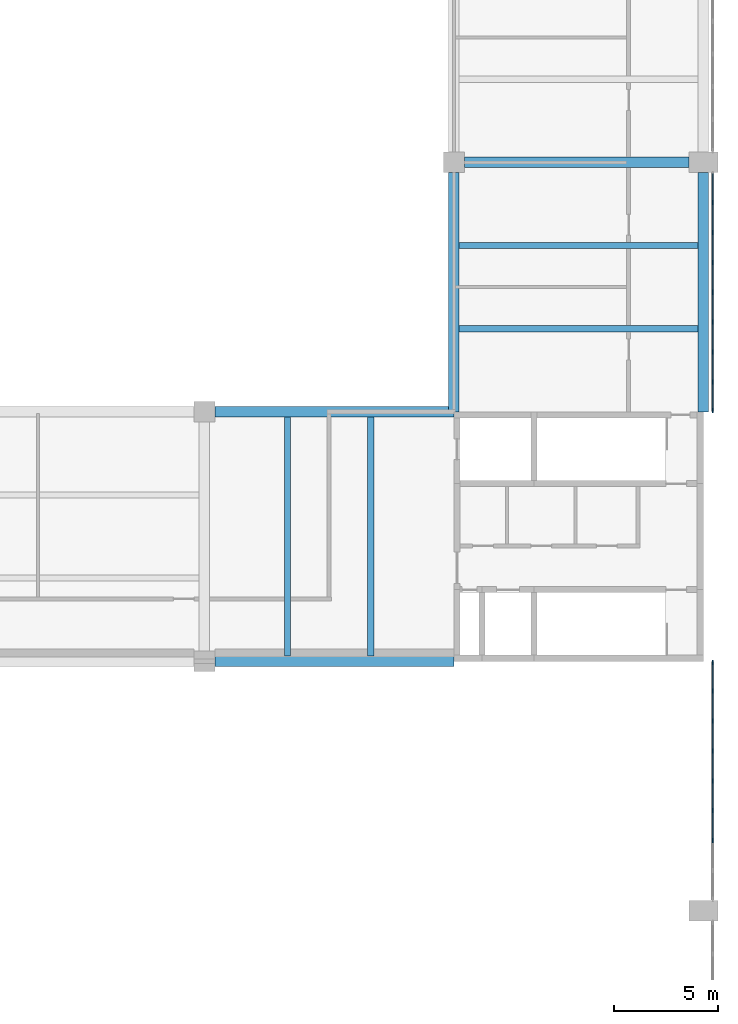
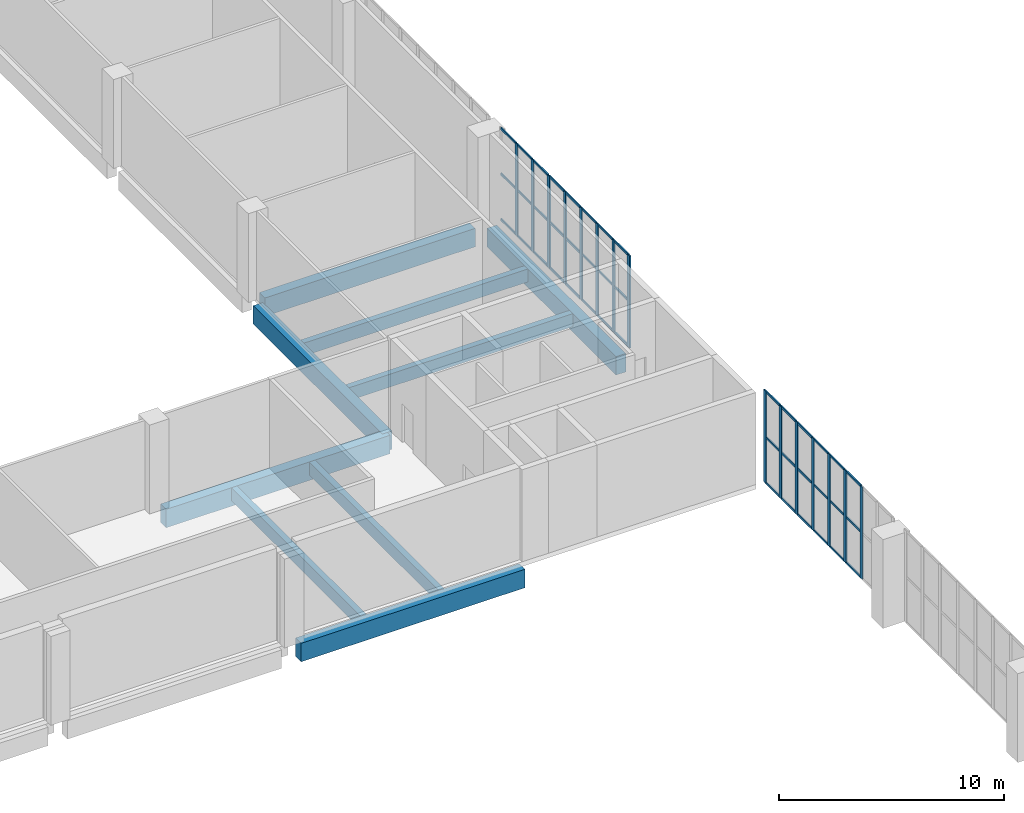
# One storey, part 26 of 69: 57 members, 9 beams, 2 elements without a shape of their own.
"""IFC4 building model written with IfcOpenShell, lengths in metres."""

from ifc_helpers import new_model, si_unit, direction, frame, origin, origin_2d, place, context, subcontext, project, spatial, rectangle, extrude, material, layer, layer_set, material_profile, profile_set, type_object, element, aggregate, save


model = new_model("IFC4")

# Units and contexts
model_context = context("Model", 3, precision=1e-05, world=origin(), true_north=direction((0.0, 1.0)))
body_context = subcontext(model_context, "Body", "Model", "MODEL_VIEW")
ifc_project = project(units=[si_unit("LENGTHUNIT", "METRE"), si_unit("AREAUNIT", "SQUARE_METRE"), si_unit("VOLUMEUNIT", "CUBIC_METRE"), si_unit("PLANEANGLEUNIT", "RADIAN"), si_unit("MASSUNIT", "GRAM", prefix="KILO")], contexts=[model_context])

# Site, building, storey
site_placement = place(None, origin())
site = spatial("IfcSite", under=ifc_project, at=site_placement, CompositionType="ELEMENT")
building_placement = place(site_placement, origin())
building = spatial("IfcBuilding", under=site, at=building_placement, Name="Lilac Gate Convention Centre", CompositionType="ELEMENT")
storey_placement = place(building_placement, frame((0.0, 0.0, 12.0)))
storey = spatial("IfcBuildingStorey", under=building, at=storey_placement, Name="L02", CompositionType="ELEMENT", Elevation=12.0)

# Curtain wall, members
ifc_material_1 = material(Name="Aluminium framed double glazing", Category="aluminium")
ifc_layer = layer(ifc_material_1, 0.199951171875)
ifc_layer_set = layer_set([ifc_layer], Name="Aluminium framed double glazing")
curtain_wall_type = type_object("IfcCurtainWallType", Name="Unitised curtain wall 1500", PredefinedType="NOTDEFINED", material=ifc_layer_set)
curtain_wall_1_placement = place(storey_placement, origin())
curtain_wall_1 = element("IfcCurtainWall", 1, at=curtain_wall_1_placement, inside=storey, type_object=curtain_wall_type, Name="Curtain wall HE L02 6", PredefinedType="NOTDEFINED")
ifc_material_2 = material(Name="Aluminium alloy 6063", Category="aluminium")
ifc_material_profile_1 = material_profile(ifc_material_2, rectangle(XDim=0.06005859375, YDim=0.219970703125, at=origin_2d()), Name="Curtain wall mullion 60 x 220")
ifc_profile_set_1 = profile_set([ifc_material_profile_1], Name="Aluminium alloy 6063")
member_type_1 = type_object("IfcMemberType", Name="Curtain wall mullion 60 x 220", PredefinedType="MULLION", material=ifc_profile_set_1)
member_1_placement = place(storey_placement, frame((90.449951171875, 93.375, 0.0), z_axis=(0.0, 0.0, 1.0), x_axis=(-1.0, 0.0, 0.0)))
member_1 = element("IfcMember", 2, at=member_1_placement, type_object=member_type_1, Name="CW mullion 3", PredefinedType="MULLION", context=body_context, shape_type="SweptSolid", body=[
    extrude(rectangle(XDim=0.06005859375, YDim=0.219970703125, at=origin_2d()), origin(), (0.0, 0.0, 1.0), 5.0),
])
member_2_placement = place(storey_placement, frame((90.449951171875, 94.8125, 0.0), z_axis=(0.0, 0.0, 1.0), x_axis=(-1.0, 0.0, 0.0)))
member_2 = element("IfcMember", 3, at=member_2_placement, type_object=member_type_1, Name="CW mullion 4", PredefinedType="MULLION", context=body_context, shape_type="SweptSolid", body=[
    extrude(rectangle(XDim=0.06005859375, YDim=0.219970703125, at=origin_2d()), origin(), (0.0, 0.0, 1.0), 5.0),
])
member_3_placement = place(storey_placement, frame((90.449951171875, 96.25, 0.0), z_axis=(0.0, 0.0, 1.0), x_axis=(-1.0, 0.0, 0.0)))
member_3 = element("IfcMember", 4, at=member_3_placement, type_object=member_type_1, Name="CW mullion 5", PredefinedType="MULLION", context=body_context, shape_type="SweptSolid", body=[
    extrude(rectangle(XDim=0.06005859375, YDim=0.219970703125, at=origin_2d()), origin(), (0.0, 0.0, 1.0), 5.0),
])
member_4_placement = place(storey_placement, frame((90.449951171875, 97.6875, 0.0), z_axis=(0.0, 0.0, 1.0), x_axis=(-1.0, 0.0, 0.0)))
member_4 = element("IfcMember", 5, at=member_4_placement, type_object=member_type_1, Name="CW mullion 6", PredefinedType="MULLION", context=body_context, shape_type="SweptSolid", body=[
    extrude(rectangle(XDim=0.06005859375, YDim=0.219970703125, at=origin_2d()), origin(), (0.0, 0.0, 1.0), 5.0),
])
member_5_placement = place(storey_placement, frame((90.449951171875, 99.125, 0.0), z_axis=(0.0, 0.0, 1.0), x_axis=(-1.0, 0.0, 0.0)))
member_5 = element("IfcMember", 6, at=member_5_placement, type_object=member_type_1, Name="CW mullion 7", PredefinedType="MULLION", context=body_context, shape_type="SweptSolid", body=[
    extrude(rectangle(XDim=0.06005859375, YDim=0.219970703125, at=origin_2d()), origin(), (0.0, 0.0, 1.0), 5.0),
])
member_6_placement = place(storey_placement, frame((90.449951171875, 100.5625, 0.0), z_axis=(0.0, 0.0, 1.0), x_axis=(-1.0, 0.0, 0.0)))
member_6 = element("IfcMember", 7, at=member_6_placement, type_object=member_type_1, Name="CW mullion 8", PredefinedType="MULLION", context=body_context, shape_type="SweptSolid", body=[
    extrude(rectangle(XDim=0.06005859375, YDim=0.219970703125, at=origin_2d()), origin(), (0.0, 0.0, 1.0), 5.0),
])
member_7_placement = place(storey_placement, frame((90.449951171875, 101.93994140625, 0.0), z_axis=(0.0, 0.0, 1.0), x_axis=(-1.0, 0.0, 0.0)))
member_7 = element("IfcMember", 8, at=member_7_placement, type_object=member_type_1, Name="CW mullion 9", PredefinedType="MULLION", context=body_context, shape_type="SweptSolid", body=[
    extrude(rectangle(XDim=0.06005859375, YDim=0.219970703125, at=origin_2d()), origin(), (0.0, 0.0, 1.0), 5.0),
])

curtain_wall_2_placement = place(storey_placement, origin())
curtain_wall_2 = element("IfcCurtainWall", 9, at=curtain_wall_2_placement, inside=storey, type_object=curtain_wall_type, Name="Curtain wall HE L02 7", PredefinedType="NOTDEFINED")
member_8_placement = place(storey_placement, frame((90.449951171875, 114.06005859375, 0.0), z_axis=(0.0, 0.0, 1.0), x_axis=(-1.0, 0.0, 0.0)))
member_8 = element("IfcMember", 10, at=member_8_placement, type_object=member_type_1, Name="CW mullion 1", PredefinedType="MULLION", context=body_context, shape_type="SweptSolid", body=[
    extrude(rectangle(XDim=0.06005859375, YDim=0.219970703125, at=origin_2d()), origin(), (0.0, 0.0, 1.0), 5.0),
])
member_9_placement = place(storey_placement, frame((90.449951171875, 115.4375, 0.0), z_axis=(0.0, 0.0, 1.0), x_axis=(-1.0, 0.0, 0.0)))
member_9 = element("IfcMember", 11, at=member_9_placement, type_object=member_type_1, Name="CW mullion 2", PredefinedType="MULLION", context=body_context, shape_type="SweptSolid", body=[
    extrude(rectangle(XDim=0.06005859375, YDim=0.219970703125, at=origin_2d()), origin(), (0.0, 0.0, 1.0), 5.0),
])
member_10_placement = place(storey_placement, frame((90.449951171875, 116.875, 0.0), z_axis=(0.0, 0.0, 1.0), x_axis=(-1.0, 0.0, 0.0)))
member_10 = element("IfcMember", 12, at=member_10_placement, type_object=member_type_1, Name="CW mullion 3", PredefinedType="MULLION", context=body_context, shape_type="SweptSolid", body=[
    extrude(rectangle(XDim=0.06005859375, YDim=0.219970703125, at=origin_2d()), origin(), (0.0, 0.0, 1.0), 5.0),
])
member_11_placement = place(storey_placement, frame((90.449951171875, 118.3125, 0.0), z_axis=(0.0, 0.0, 1.0), x_axis=(-1.0, 0.0, 0.0)))
member_11 = element("IfcMember", 13, at=member_11_placement, type_object=member_type_1, Name="CW mullion 4", PredefinedType="MULLION", context=body_context, shape_type="SweptSolid", body=[
    extrude(rectangle(XDim=0.06005859375, YDim=0.219970703125, at=origin_2d()), origin(), (0.0, 0.0, 1.0), 5.0),
])
member_12_placement = place(storey_placement, frame((90.449951171875, 119.75, 0.0), z_axis=(0.0, 0.0, 1.0), x_axis=(-1.0, 0.0, 0.0)))
member_12 = element("IfcMember", 14, at=member_12_placement, type_object=member_type_1, Name="CW mullion 5", PredefinedType="MULLION", context=body_context, shape_type="SweptSolid", body=[
    extrude(rectangle(XDim=0.06005859375, YDim=0.219970703125, at=origin_2d()), origin(), (0.0, 0.0, 1.0), 5.0),
])
member_13_placement = place(storey_placement, frame((90.449951171875, 121.1875, 0.0), z_axis=(0.0, 0.0, 1.0), x_axis=(-1.0, 0.0, 0.0)))
member_13 = element("IfcMember", 15, at=member_13_placement, type_object=member_type_1, Name="CW mullion 6", PredefinedType="MULLION", context=body_context, shape_type="SweptSolid", body=[
    extrude(rectangle(XDim=0.06005859375, YDim=0.219970703125, at=origin_2d()), origin(), (0.0, 0.0, 1.0), 5.0),
])
member_14_placement = place(storey_placement, frame((90.449951171875, 122.625, 0.0), z_axis=(0.0, 0.0, 1.0), x_axis=(-1.0, 0.0, 0.0)))
member_14 = element("IfcMember", 16, at=member_14_placement, type_object=member_type_1, Name="CW mullion 7", PredefinedType="MULLION", context=body_context, shape_type="SweptSolid", body=[
    extrude(rectangle(XDim=0.06005859375, YDim=0.219970703125, at=origin_2d()), origin(), (0.0, 0.0, 1.0), 5.0),
])
member_15_placement = place(storey_placement, frame((90.449951171875, 124.0625, 0.0), z_axis=(0.0, 0.0, 1.0), x_axis=(-1.0, 0.0, 0.0)))
member_15 = element("IfcMember", 17, at=member_15_placement, type_object=member_type_1, Name="CW mullion 8", PredefinedType="MULLION", context=body_context, shape_type="SweptSolid", body=[
    extrude(rectangle(XDim=0.06005859375, YDim=0.219970703125, at=origin_2d()), origin(), (0.0, 0.0, 1.0), 5.0),
])

# Member
ifc_material_profile_2 = material_profile(ifc_material_2, rectangle(XDim=0.06005859375, YDim=0.1201171875, at=origin_2d()), Name="Curtain wall transom 60 x 120")
ifc_profile_set_2 = profile_set([ifc_material_profile_2], Name="Aluminium alloy 6063")
member_type_2 = type_object("IfcMemberType", Name="Curtain wall transom 60 x 120", PredefinedType="USERDEFINED", material=ifc_profile_set_2)
member_16_placement = place(storey_placement, frame((90.449951171875, 93.405029296875, 0.030029296875), z_axis=(0.0, 1.0, 0.0), x_axis=(-1.0, 0.0, 0.0)))
member_16 = element("IfcMember", 18, at=member_16_placement, type_object=member_type_2, Name="CW transom 3.1", ObjectType="TRANSOM", PredefinedType="USERDEFINED", context=body_context, shape_type="SweptSolid", body=[
    extrude(rectangle(XDim=0.06005859375, YDim=0.1201171875, at=origin_2d()), origin(), (0.0, 0.0, 1.0), 1.37744140625),
])

member_17_placement = place(storey_placement, frame((90.449951171875, 93.405029296875, 2.5), z_axis=(0.0, 1.0, 0.0), x_axis=(-1.0, 0.0, 0.0)))
member_17 = element("IfcMember", 19, at=member_17_placement, type_object=member_type_2, Name="CW transom 3.2", ObjectType="TRANSOM", PredefinedType="USERDEFINED", context=body_context, shape_type="SweptSolid", body=[
    extrude(rectangle(XDim=0.06005859375, YDim=0.1201171875, at=origin_2d()), origin(), (0.0, 0.0, 1.0), 1.37744140625),
])

member_18_placement = place(storey_placement, frame((90.449951171875, 93.405029296875, 4.969970703125), z_axis=(0.0, 1.0, 0.0), x_axis=(-1.0, 0.0, 0.0)))
member_18 = element("IfcMember", 20, at=member_18_placement, type_object=member_type_2, Name="CW transom 3.3", ObjectType="TRANSOM", PredefinedType="USERDEFINED", context=body_context, shape_type="SweptSolid", body=[
    extrude(rectangle(XDim=0.06005859375, YDim=0.1201171875, at=origin_2d()), origin(), (0.0, 0.0, 1.0), 1.37744140625),
])

member_19_placement = place(storey_placement, frame((90.449951171875, 94.842529296875, 0.030029296875), z_axis=(0.0, 1.0, 0.0), x_axis=(-1.0, 0.0, 0.0)))
member_19 = element("IfcMember", 21, at=member_19_placement, type_object=member_type_2, Name="CW transom 4.1", ObjectType="TRANSOM", PredefinedType="USERDEFINED", context=body_context, shape_type="SweptSolid", body=[
    extrude(rectangle(XDim=0.06005859375, YDim=0.1201171875, at=origin_2d()), origin(), (0.0, 0.0, 1.0), 1.37744140625),
])

member_20_placement = place(storey_placement, frame((90.449951171875, 94.842529296875, 2.5), z_axis=(0.0, 1.0, 0.0), x_axis=(-1.0, 0.0, 0.0)))
member_20 = element("IfcMember", 22, at=member_20_placement, type_object=member_type_2, Name="CW transom 4.2", ObjectType="TRANSOM", PredefinedType="USERDEFINED", context=body_context, shape_type="SweptSolid", body=[
    extrude(rectangle(XDim=0.06005859375, YDim=0.1201171875, at=origin_2d()), origin(), (0.0, 0.0, 1.0), 1.37744140625),
])

member_21_placement = place(storey_placement, frame((90.449951171875, 94.842529296875, 4.969970703125), z_axis=(0.0, 1.0, 0.0), x_axis=(-1.0, 0.0, 0.0)))
member_21 = element("IfcMember", 23, at=member_21_placement, type_object=member_type_2, Name="CW transom 4.3", ObjectType="TRANSOM", PredefinedType="USERDEFINED", context=body_context, shape_type="SweptSolid", body=[
    extrude(rectangle(XDim=0.06005859375, YDim=0.1201171875, at=origin_2d()), origin(), (0.0, 0.0, 1.0), 1.37744140625),
])

member_22_placement = place(storey_placement, frame((90.449951171875, 96.280029296875, 0.030029296875), z_axis=(0.0, 1.0, 0.0), x_axis=(-1.0, 0.0, 0.0)))
member_22 = element("IfcMember", 24, at=member_22_placement, type_object=member_type_2, Name="CW transom 5.1", ObjectType="TRANSOM", PredefinedType="USERDEFINED", context=body_context, shape_type="SweptSolid", body=[
    extrude(rectangle(XDim=0.06005859375, YDim=0.1201171875, at=origin_2d()), origin(), (0.0, 0.0, 1.0), 1.37744140625),
])

member_23_placement = place(storey_placement, frame((90.449951171875, 96.280029296875, 2.5), z_axis=(0.0, 1.0, 0.0), x_axis=(-1.0, 0.0, 0.0)))
member_23 = element("IfcMember", 25, at=member_23_placement, type_object=member_type_2, Name="CW transom 5.2", ObjectType="TRANSOM", PredefinedType="USERDEFINED", context=body_context, shape_type="SweptSolid", body=[
    extrude(rectangle(XDim=0.06005859375, YDim=0.1201171875, at=origin_2d()), origin(), (0.0, 0.0, 1.0), 1.37744140625),
])

member_24_placement = place(storey_placement, frame((90.449951171875, 96.280029296875, 4.969970703125), z_axis=(0.0, 1.0, 0.0), x_axis=(-1.0, 0.0, 0.0)))
member_24 = element("IfcMember", 26, at=member_24_placement, type_object=member_type_2, Name="CW transom 5.3", ObjectType="TRANSOM", PredefinedType="USERDEFINED", context=body_context, shape_type="SweptSolid", body=[
    extrude(rectangle(XDim=0.06005859375, YDim=0.1201171875, at=origin_2d()), origin(), (0.0, 0.0, 1.0), 1.37744140625),
])

member_25_placement = place(storey_placement, frame((90.449951171875, 97.717529296875, 0.030029296875), z_axis=(0.0, 1.0, 0.0), x_axis=(-1.0, 0.0, 0.0)))
member_25 = element("IfcMember", 27, at=member_25_placement, type_object=member_type_2, Name="CW transom 6.1", ObjectType="TRANSOM", PredefinedType="USERDEFINED", context=body_context, shape_type="SweptSolid", body=[
    extrude(rectangle(XDim=0.06005859375, YDim=0.1201171875, at=origin_2d()), origin(), (0.0, 0.0, 1.0), 1.37744140625),
])

member_26_placement = place(storey_placement, frame((90.449951171875, 97.717529296875, 2.5), z_axis=(0.0, 1.0, 0.0), x_axis=(-1.0, 0.0, 0.0)))
member_26 = element("IfcMember", 28, at=member_26_placement, type_object=member_type_2, Name="CW transom 6.2", ObjectType="TRANSOM", PredefinedType="USERDEFINED", context=body_context, shape_type="SweptSolid", body=[
    extrude(rectangle(XDim=0.06005859375, YDim=0.1201171875, at=origin_2d()), origin(), (0.0, 0.0, 1.0), 1.37744140625),
])

member_27_placement = place(storey_placement, frame((90.449951171875, 97.717529296875, 4.969970703125), z_axis=(0.0, 1.0, 0.0), x_axis=(-1.0, 0.0, 0.0)))
member_27 = element("IfcMember", 29, at=member_27_placement, type_object=member_type_2, Name="CW transom 6.3", ObjectType="TRANSOM", PredefinedType="USERDEFINED", context=body_context, shape_type="SweptSolid", body=[
    extrude(rectangle(XDim=0.06005859375, YDim=0.1201171875, at=origin_2d()), origin(), (0.0, 0.0, 1.0), 1.37744140625),
])

member_28_placement = place(storey_placement, frame((90.449951171875, 99.155029296875, 0.030029296875), z_axis=(0.0, 1.0, 0.0), x_axis=(-1.0, 0.0, 0.0)))
member_28 = element("IfcMember", 30, at=member_28_placement, type_object=member_type_2, Name="CW transom 7.1", ObjectType="TRANSOM", PredefinedType="USERDEFINED", context=body_context, shape_type="SweptSolid", body=[
    extrude(rectangle(XDim=0.06005859375, YDim=0.1201171875, at=origin_2d()), origin(), (0.0, 0.0, 1.0), 1.37744140625),
])

member_29_placement = place(storey_placement, frame((90.449951171875, 99.155029296875, 2.5), z_axis=(0.0, 1.0, 0.0), x_axis=(-1.0, 0.0, 0.0)))
member_29 = element("IfcMember", 31, at=member_29_placement, type_object=member_type_2, Name="CW transom 7.2", ObjectType="TRANSOM", PredefinedType="USERDEFINED", context=body_context, shape_type="SweptSolid", body=[
    extrude(rectangle(XDim=0.06005859375, YDim=0.1201171875, at=origin_2d()), origin(), (0.0, 0.0, 1.0), 1.37744140625),
])

member_30_placement = place(storey_placement, frame((90.449951171875, 99.155029296875, 4.969970703125), z_axis=(0.0, 1.0, 0.0), x_axis=(-1.0, 0.0, 0.0)))
member_30 = element("IfcMember", 32, at=member_30_placement, type_object=member_type_2, Name="CW transom 7.3", ObjectType="TRANSOM", PredefinedType="USERDEFINED", context=body_context, shape_type="SweptSolid", body=[
    extrude(rectangle(XDim=0.06005859375, YDim=0.1201171875, at=origin_2d()), origin(), (0.0, 0.0, 1.0), 1.37744140625),
])

member_31_placement = place(storey_placement, frame((90.449951171875, 100.592529296875, 0.030029296875), z_axis=(0.0, 1.0, 0.0), x_axis=(-1.0, 0.0, 0.0)))
member_31 = element("IfcMember", 33, at=member_31_placement, type_object=member_type_2, Name="CW transom 8.1", ObjectType="TRANSOM", PredefinedType="USERDEFINED", context=body_context, shape_type="SweptSolid", body=[
    extrude(rectangle(XDim=0.06005859375, YDim=0.1201171875, at=origin_2d()), origin(), (0.0, 0.0, 1.0), 1.347412109375),
])

member_32_placement = place(storey_placement, frame((90.449951171875, 100.592529296875, 2.5), z_axis=(0.0, 1.0, 0.0), x_axis=(-1.0, 0.0, 0.0)))
member_32 = element("IfcMember", 34, at=member_32_placement, type_object=member_type_2, Name="CW transom 8.2", ObjectType="TRANSOM", PredefinedType="USERDEFINED", context=body_context, shape_type="SweptSolid", body=[
    extrude(rectangle(XDim=0.06005859375, YDim=0.1201171875, at=origin_2d()), origin(), (0.0, 0.0, 1.0), 1.347412109375),
])

member_33_placement = place(storey_placement, frame((90.449951171875, 100.592529296875, 4.969970703125), z_axis=(0.0, 1.0, 0.0), x_axis=(-1.0, 0.0, 0.0)))
member_33 = element("IfcMember", 35, at=member_33_placement, type_object=member_type_2, Name="CW transom 8.3", ObjectType="TRANSOM", PredefinedType="USERDEFINED", context=body_context, shape_type="SweptSolid", body=[
    extrude(rectangle(XDim=0.06005859375, YDim=0.1201171875, at=origin_2d()), origin(), (0.0, 0.0, 1.0), 1.347412109375),
])

aggregate(curtain_wall_1, [member_1, member_2, member_3, member_4, member_5, member_6, member_7, member_16, member_17, member_18, member_19, member_20, member_21, member_22, member_23, member_24, member_25, member_26, member_27, member_28, member_29, member_30, member_31, member_32, member_33])

member_34_placement = place(storey_placement, frame((90.449951171875, 114.06005859375, 0.030029296875), z_axis=(0.0, 1.0, 0.0), x_axis=(-1.0, 0.0, 0.0)))
member_34 = element("IfcMember", 36, at=member_34_placement, type_object=member_type_2, Name="CW transom 1.1", ObjectType="TRANSOM", PredefinedType="USERDEFINED", context=body_context, shape_type="SweptSolid", body=[
    extrude(rectangle(XDim=0.06005859375, YDim=0.1201171875, at=origin_2d()), origin(), (0.0, 0.0, 1.0), 1.347412109375),
])

member_35_placement = place(storey_placement, frame((90.449951171875, 114.06005859375, 2.5), z_axis=(0.0, 1.0, 0.0), x_axis=(-1.0, 0.0, 0.0)))
member_35 = element("IfcMember", 37, at=member_35_placement, type_object=member_type_2, Name="CW transom 1.2", ObjectType="TRANSOM", PredefinedType="USERDEFINED", context=body_context, shape_type="SweptSolid", body=[
    extrude(rectangle(XDim=0.06005859375, YDim=0.1201171875, at=origin_2d()), origin(), (0.0, 0.0, 1.0), 1.347412109375),
])

member_36_placement = place(storey_placement, frame((90.449951171875, 114.06005859375, 4.969970703125), z_axis=(0.0, 1.0, 0.0), x_axis=(-1.0, 0.0, 0.0)))
member_36 = element("IfcMember", 38, at=member_36_placement, type_object=member_type_2, Name="CW transom 1.3", ObjectType="TRANSOM", PredefinedType="USERDEFINED", context=body_context, shape_type="SweptSolid", body=[
    extrude(rectangle(XDim=0.06005859375, YDim=0.1201171875, at=origin_2d()), origin(), (0.0, 0.0, 1.0), 1.347412109375),
])

member_37_placement = place(storey_placement, frame((90.449951171875, 115.467529296875, 0.030029296875), z_axis=(0.0, 1.0, 0.0), x_axis=(-1.0, 0.0, 0.0)))
member_37 = element("IfcMember", 39, at=member_37_placement, type_object=member_type_2, Name="CW transom 2.1", ObjectType="TRANSOM", PredefinedType="USERDEFINED", context=body_context, shape_type="SweptSolid", body=[
    extrude(rectangle(XDim=0.06005859375, YDim=0.1201171875, at=origin_2d()), origin(), (0.0, 0.0, 1.0), 1.37744140625),
])

member_38_placement = place(storey_placement, frame((90.449951171875, 115.467529296875, 2.5), z_axis=(0.0, 1.0, 0.0), x_axis=(-1.0, 0.0, 0.0)))
member_38 = element("IfcMember", 40, at=member_38_placement, type_object=member_type_2, Name="CW transom 2.2", ObjectType="TRANSOM", PredefinedType="USERDEFINED", context=body_context, shape_type="SweptSolid", body=[
    extrude(rectangle(XDim=0.06005859375, YDim=0.1201171875, at=origin_2d()), origin(), (0.0, 0.0, 1.0), 1.37744140625),
])

member_39_placement = place(storey_placement, frame((90.449951171875, 115.467529296875, 4.969970703125), z_axis=(0.0, 1.0, 0.0), x_axis=(-1.0, 0.0, 0.0)))
member_39 = element("IfcMember", 41, at=member_39_placement, type_object=member_type_2, Name="CW transom 2.3", ObjectType="TRANSOM", PredefinedType="USERDEFINED", context=body_context, shape_type="SweptSolid", body=[
    extrude(rectangle(XDim=0.06005859375, YDim=0.1201171875, at=origin_2d()), origin(), (0.0, 0.0, 1.0), 1.37744140625),
])

member_40_placement = place(storey_placement, frame((90.449951171875, 116.905029296875, 0.030029296875), z_axis=(0.0, 1.0, 0.0), x_axis=(-1.0, 0.0, 0.0)))
member_40 = element("IfcMember", 42, at=member_40_placement, type_object=member_type_2, Name="CW transom 3.1", ObjectType="TRANSOM", PredefinedType="USERDEFINED", context=body_context, shape_type="SweptSolid", body=[
    extrude(rectangle(XDim=0.06005859375, YDim=0.1201171875, at=origin_2d()), origin(), (0.0, 0.0, 1.0), 1.37744140625),
])

member_41_placement = place(storey_placement, frame((90.449951171875, 116.905029296875, 2.5), z_axis=(0.0, 1.0, 0.0), x_axis=(-1.0, 0.0, 0.0)))
member_41 = element("IfcMember", 43, at=member_41_placement, type_object=member_type_2, Name="CW transom 3.2", ObjectType="TRANSOM", PredefinedType="USERDEFINED", context=body_context, shape_type="SweptSolid", body=[
    extrude(rectangle(XDim=0.06005859375, YDim=0.1201171875, at=origin_2d()), origin(), (0.0, 0.0, 1.0), 1.37744140625),
])

member_42_placement = place(storey_placement, frame((90.449951171875, 116.905029296875, 4.969970703125), z_axis=(0.0, 1.0, 0.0), x_axis=(-1.0, 0.0, 0.0)))
member_42 = element("IfcMember", 44, at=member_42_placement, type_object=member_type_2, Name="CW transom 3.3", ObjectType="TRANSOM", PredefinedType="USERDEFINED", context=body_context, shape_type="SweptSolid", body=[
    extrude(rectangle(XDim=0.06005859375, YDim=0.1201171875, at=origin_2d()), origin(), (0.0, 0.0, 1.0), 1.37744140625),
])

member_43_placement = place(storey_placement, frame((90.449951171875, 118.342529296875, 0.030029296875), z_axis=(0.0, 1.0, 0.0), x_axis=(-1.0, 0.0, 0.0)))
member_43 = element("IfcMember", 45, at=member_43_placement, type_object=member_type_2, Name="CW transom 4.1", ObjectType="TRANSOM", PredefinedType="USERDEFINED", context=body_context, shape_type="SweptSolid", body=[
    extrude(rectangle(XDim=0.06005859375, YDim=0.1201171875, at=origin_2d()), origin(), (0.0, 0.0, 1.0), 1.37744140625),
])

member_44_placement = place(storey_placement, frame((90.449951171875, 118.342529296875, 2.5), z_axis=(0.0, 1.0, 0.0), x_axis=(-1.0, 0.0, 0.0)))
member_44 = element("IfcMember", 46, at=member_44_placement, type_object=member_type_2, Name="CW transom 4.2", ObjectType="TRANSOM", PredefinedType="USERDEFINED", context=body_context, shape_type="SweptSolid", body=[
    extrude(rectangle(XDim=0.06005859375, YDim=0.1201171875, at=origin_2d()), origin(), (0.0, 0.0, 1.0), 1.37744140625),
])

member_45_placement = place(storey_placement, frame((90.449951171875, 118.342529296875, 4.969970703125), z_axis=(0.0, 1.0, 0.0), x_axis=(-1.0, 0.0, 0.0)))
member_45 = element("IfcMember", 47, at=member_45_placement, type_object=member_type_2, Name="CW transom 4.3", ObjectType="TRANSOM", PredefinedType="USERDEFINED", context=body_context, shape_type="SweptSolid", body=[
    extrude(rectangle(XDim=0.06005859375, YDim=0.1201171875, at=origin_2d()), origin(), (0.0, 0.0, 1.0), 1.37744140625),
])

member_46_placement = place(storey_placement, frame((90.449951171875, 119.780029296875, 0.030029296875), z_axis=(0.0, 1.0, 0.0), x_axis=(-1.0, 0.0, 0.0)))
member_46 = element("IfcMember", 48, at=member_46_placement, type_object=member_type_2, Name="CW transom 5.1", ObjectType="TRANSOM", PredefinedType="USERDEFINED", context=body_context, shape_type="SweptSolid", body=[
    extrude(rectangle(XDim=0.06005859375, YDim=0.1201171875, at=origin_2d()), origin(), (0.0, 0.0, 1.0), 1.37744140625),
])

member_47_placement = place(storey_placement, frame((90.449951171875, 119.780029296875, 2.5), z_axis=(0.0, 1.0, 0.0), x_axis=(-1.0, 0.0, 0.0)))
member_47 = element("IfcMember", 49, at=member_47_placement, type_object=member_type_2, Name="CW transom 5.2", ObjectType="TRANSOM", PredefinedType="USERDEFINED", context=body_context, shape_type="SweptSolid", body=[
    extrude(rectangle(XDim=0.06005859375, YDim=0.1201171875, at=origin_2d()), origin(), (0.0, 0.0, 1.0), 1.37744140625),
])

member_48_placement = place(storey_placement, frame((90.449951171875, 119.780029296875, 4.969970703125), z_axis=(0.0, 1.0, 0.0), x_axis=(-1.0, 0.0, 0.0)))
member_48 = element("IfcMember", 50, at=member_48_placement, type_object=member_type_2, Name="CW transom 5.3", ObjectType="TRANSOM", PredefinedType="USERDEFINED", context=body_context, shape_type="SweptSolid", body=[
    extrude(rectangle(XDim=0.06005859375, YDim=0.1201171875, at=origin_2d()), origin(), (0.0, 0.0, 1.0), 1.37744140625),
])

member_49_placement = place(storey_placement, frame((90.449951171875, 121.217529296875, 0.030029296875), z_axis=(0.0, 1.0, 0.0), x_axis=(-1.0, 0.0, 0.0)))
member_49 = element("IfcMember", 51, at=member_49_placement, type_object=member_type_2, Name="CW transom 6.1", ObjectType="TRANSOM", PredefinedType="USERDEFINED", context=body_context, shape_type="SweptSolid", body=[
    extrude(rectangle(XDim=0.06005859375, YDim=0.1201171875, at=origin_2d()), origin(), (0.0, 0.0, 1.0), 1.37744140625),
])

member_50_placement = place(storey_placement, frame((90.449951171875, 121.217529296875, 2.5), z_axis=(0.0, 1.0, 0.0), x_axis=(-1.0, 0.0, 0.0)))
member_50 = element("IfcMember", 52, at=member_50_placement, type_object=member_type_2, Name="CW transom 6.2", ObjectType="TRANSOM", PredefinedType="USERDEFINED", context=body_context, shape_type="SweptSolid", body=[
    extrude(rectangle(XDim=0.06005859375, YDim=0.1201171875, at=origin_2d()), origin(), (0.0, 0.0, 1.0), 1.37744140625),
])

member_51_placement = place(storey_placement, frame((90.449951171875, 121.217529296875, 4.969970703125), z_axis=(0.0, 1.0, 0.0), x_axis=(-1.0, 0.0, 0.0)))
member_51 = element("IfcMember", 53, at=member_51_placement, type_object=member_type_2, Name="CW transom 6.3", ObjectType="TRANSOM", PredefinedType="USERDEFINED", context=body_context, shape_type="SweptSolid", body=[
    extrude(rectangle(XDim=0.06005859375, YDim=0.1201171875, at=origin_2d()), origin(), (0.0, 0.0, 1.0), 1.37744140625),
])

member_52_placement = place(storey_placement, frame((90.449951171875, 122.655029296875, 0.030029296875), z_axis=(0.0, 1.0, 0.0), x_axis=(-1.0, 0.0, 0.0)))
member_52 = element("IfcMember", 54, at=member_52_placement, type_object=member_type_2, Name="CW transom 7.1", ObjectType="TRANSOM", PredefinedType="USERDEFINED", context=body_context, shape_type="SweptSolid", body=[
    extrude(rectangle(XDim=0.06005859375, YDim=0.1201171875, at=origin_2d()), origin(), (0.0, 0.0, 1.0), 1.37744140625),
])

member_53_placement = place(storey_placement, frame((90.449951171875, 122.655029296875, 2.5), z_axis=(0.0, 1.0, 0.0), x_axis=(-1.0, 0.0, 0.0)))
member_53 = element("IfcMember", 55, at=member_53_placement, type_object=member_type_2, Name="CW transom 7.2", ObjectType="TRANSOM", PredefinedType="USERDEFINED", context=body_context, shape_type="SweptSolid", body=[
    extrude(rectangle(XDim=0.06005859375, YDim=0.1201171875, at=origin_2d()), origin(), (0.0, 0.0, 1.0), 1.37744140625),
])

member_54_placement = place(storey_placement, frame((90.449951171875, 122.655029296875, 4.969970703125), z_axis=(0.0, 1.0, 0.0), x_axis=(-1.0, 0.0, 0.0)))
member_54 = element("IfcMember", 56, at=member_54_placement, type_object=member_type_2, Name="CW transom 7.3", ObjectType="TRANSOM", PredefinedType="USERDEFINED", context=body_context, shape_type="SweptSolid", body=[
    extrude(rectangle(XDim=0.06005859375, YDim=0.1201171875, at=origin_2d()), origin(), (0.0, 0.0, 1.0), 1.37744140625),
])

member_55_placement = place(storey_placement, frame((90.449951171875, 124.092529296875, 0.030029296875), z_axis=(0.0, 1.0, 0.0), x_axis=(-1.0, 0.0, 0.0)))
member_55 = element("IfcMember", 57, at=member_55_placement, type_object=member_type_2, Name="CW transom 8.1", ObjectType="TRANSOM", PredefinedType="USERDEFINED", context=body_context, shape_type="SweptSolid", body=[
    extrude(rectangle(XDim=0.06005859375, YDim=0.1201171875, at=origin_2d()), origin(), (0.0, 0.0, 1.0), 1.347412109375),
])

member_56_placement = place(storey_placement, frame((90.449951171875, 124.092529296875, 2.5), z_axis=(0.0, 1.0, 0.0), x_axis=(-1.0, 0.0, 0.0)))
member_56 = element("IfcMember", 58, at=member_56_placement, type_object=member_type_2, Name="CW transom 8.2", ObjectType="TRANSOM", PredefinedType="USERDEFINED", context=body_context, shape_type="SweptSolid", body=[
    extrude(rectangle(XDim=0.06005859375, YDim=0.1201171875, at=origin_2d()), origin(), (0.0, 0.0, 1.0), 1.347412109375),
])

member_57_placement = place(storey_placement, frame((90.449951171875, 124.092529296875, 4.969970703125), z_axis=(0.0, 1.0, 0.0), x_axis=(-1.0, 0.0, 0.0)))
member_57 = element("IfcMember", 59, at=member_57_placement, type_object=member_type_2, Name="CW transom 8.3", ObjectType="TRANSOM", PredefinedType="USERDEFINED", context=body_context, shape_type="SweptSolid", body=[
    extrude(rectangle(XDim=0.06005859375, YDim=0.1201171875, at=origin_2d()), origin(), (0.0, 0.0, 1.0), 1.347412109375),
])

aggregate(curtain_wall_2, [member_8, member_9, member_10, member_11, member_12, member_13, member_14, member_15, member_34, member_35, member_36, member_37, member_38, member_39, member_40, member_41, member_42, member_43, member_44, member_45, member_46, member_47, member_48, member_49, member_50, member_51, member_52, member_53, member_54, member_55, member_56, member_57])

# Beams
ifc_material_3 = material(Name="Concrete C40", Category="concrete")
ifc_material_profile_3 = material_profile(ifc_material_3, rectangle(XDim=0.5, YDim=1.0, at=origin_2d()), Name="RC 500x1000")
ifc_profile_set_3 = profile_set([ifc_material_profile_3], Name="Concrete C40")
beam_type_1 = type_object("IfcBeamType", Name="Primary beam 500x1000 C40", PredefinedType="BEAM", material=ifc_profile_set_3)
for number, where, z_axis, x_axis, name in (
    (60, (66.5, 102.0, -0.75), (1.0, 0.0, 0.0), (0.0, 1.0, 0.0), "RB1 L02 6/G-7/G"),
    (61, (66.5, 114.0, -0.75), (1.0, 0.0, 0.0), (0.0, 1.0, 0.0), "RB1 L02 6/H-7/H"),
):
    element("IfcBeam", number, at=place(storey_placement, frame(where, z_axis=z_axis, x_axis=x_axis)), inside=storey, type_object=beam_type_1, Name=name, PredefinedType="BEAM", context=body_context, shape_type="SweptSolid", body=[
        extrude(rectangle(XDim=0.5, YDim=1.0, at=origin_2d()), origin(), (0.0, 0.0, 1.0), 11.5),
    ])
beam_placement = place(storey_placement, frame((78.5, 126.0, -0.75), z_axis=(1.0, 0.0, 0.0), x_axis=(0.0, 1.0, 0.0)))
element("IfcBeam", 62, at=beam_placement, inside=storey, type_object=beam_type_1, Name="RB1 L02 7/J-8/J", PredefinedType="BEAM", context=body_context, shape_type="SweptSolid", body=[
    extrude(rectangle(XDim=0.5, YDim=1.0, at=origin_2d()), origin(), (0.0, 0.0, 1.0), 10.800048828125),
])
for number, where, z_axis, x_axis, name in (
    (63, (78.0, 114.0, -0.75), (0.0, 1.0, 0.0), (-1.0, 0.0, 0.0), "RB1 L02 7/H-7/J"),
    (64, (90.0, 114.0, -0.75), (0.0, 1.0, 0.0), (-1.0, 0.0, 0.0), "RB1 L02 8/H-8/J"),
):
    element("IfcBeam", number, at=place(storey_placement, frame(where, z_axis=z_axis, x_axis=x_axis)), inside=storey, type_object=beam_type_1, Name=name, PredefinedType="BEAM", context=body_context, shape_type="SweptSolid", body=[
        extrude(rectangle(XDim=0.5, YDim=1.0, at=origin_2d()), origin(), (0.0, 0.0, 1.0), 11.5),
    ])
ifc_material_profile_4 = material_profile(ifc_material_3, rectangle(XDim=0.300048828125, YDim=0.699951171875, at=origin_2d()), Name="RC 300x700")
ifc_profile_set_4 = profile_set([ifc_material_profile_4], Name="Concrete C40")
beam_type_2 = type_object("IfcBeamType", Name="Secondary beam 300x700 C40", PredefinedType="BEAM", material=ifc_profile_set_4)
for number, where, z_axis, x_axis, name in (
    (65, (70.0, 102.25, -0.60009765625), (0.0, 1.0, 0.0), (-1.0, 0.0, 0.0), "RB2 L02 bay 6/G"),
    (66, (74.0, 102.25, -0.60009765625), (0.0, 1.0, 0.0), (-1.0, 0.0, 0.0), "RB2 L02 bay 6/G"),
    (67, (78.25, 118.0, -0.60009765625), (1.0, 0.0, 0.0), (0.0, 1.0, 0.0), "RB2 L02 bay 7/H"),
    (68, (78.25, 122.0, -0.60009765625), (1.0, 0.0, 0.0), (0.0, 1.0, 0.0), "RB2 L02 bay 7/H"),
):
    element("IfcBeam", number, at=place(storey_placement, frame(where, z_axis=z_axis, x_axis=x_axis)), inside=storey, type_object=beam_type_2, Name=name, PredefinedType="BEAM", context=body_context, shape_type="SweptSolid", body=[
        extrude(rectangle(XDim=0.300048828125, YDim=0.699951171875, at=origin_2d()), origin(), (0.0, 0.0, 1.0), 11.5),
    ])

save(model, "model.ifc")
